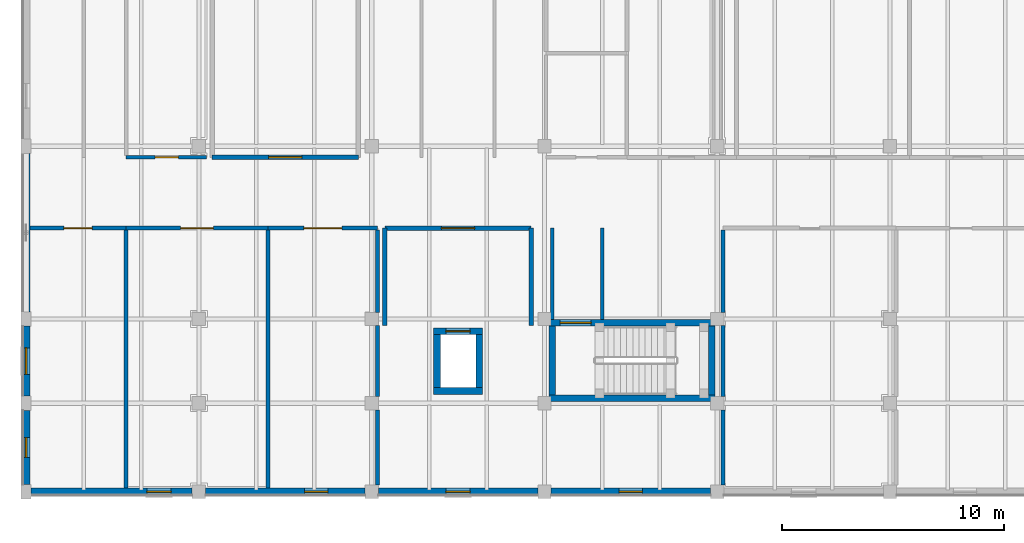
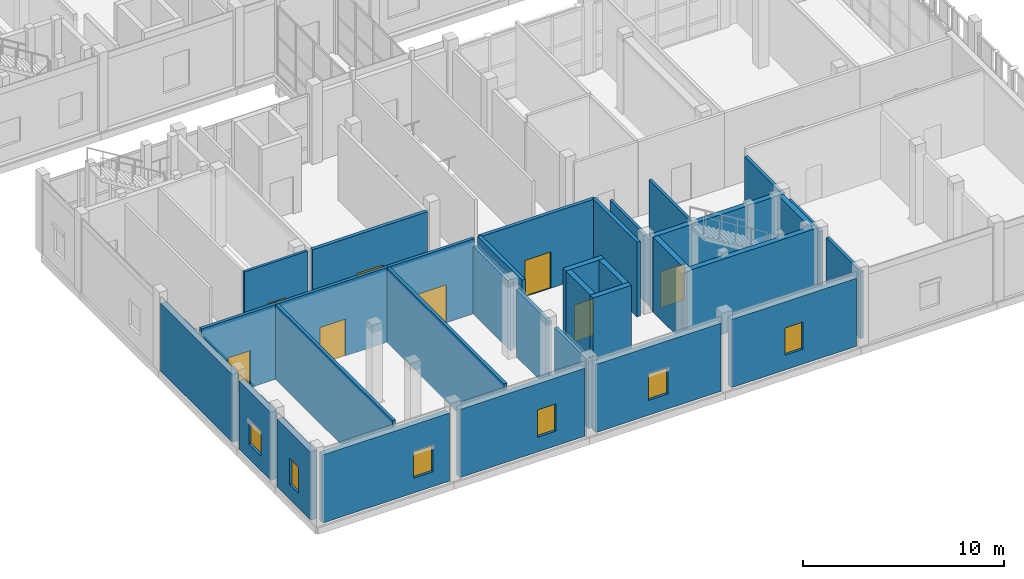
# One storey, part 100 of 138: 33 walls, 8 doors, 6 windows, 14 openings.
"""IFC4 building model written with IfcOpenShell, lengths in metres."""

from ifc_helpers import new_model, si_unit, direction, frame, frame_2d, origin, place, context, subcontext, project, spatial, rectangle, extrude, material, layer, layer_set, type_object, element, fill, save


model = new_model("IFC4")

# Units and contexts
model_context = context("Model", 3, precision=1e-05, world=origin(), true_north=direction((0.0, 1.0)))
body_context = subcontext(model_context, "Body", "Model", "MODEL_VIEW")
ifc_project = project(units=[si_unit("LENGTHUNIT", "METRE"), si_unit("AREAUNIT", "SQUARE_METRE"), si_unit("VOLUMEUNIT", "CUBIC_METRE"), si_unit("PLANEANGLEUNIT", "RADIAN"), si_unit("MASSUNIT", "GRAM", prefix="KILO")], contexts=[model_context])

# Site, building, storey
site_placement = place(None, origin())
site = spatial("IfcSite", under=ifc_project, at=site_placement, CompositionType="ELEMENT")
building_placement = place(site_placement, origin())
building = spatial("IfcBuilding", under=site, at=building_placement, Name="Celorna Specialist Clinic", CompositionType="ELEMENT")
storey_placement = place(building_placement, frame((0.0, 0.0, 4.800048828125)))
storey = spatial("IfcBuildingStorey", under=building, at=storey_placement, Name="L01", CompositionType="ELEMENT", Elevation=4.800048828125)

# Wall, opening, window
ifc_material_1 = material(Name="Pero Pinheiro Lioz limestone insulated masonry", Category="masonry")
ifc_layer_1 = layer(ifc_material_1, 0.340087890625, Name="Pero Pinheiro Lioz limestone insulated masonry")
ifc_layer_set_1 = layer_set([ifc_layer_1], Name="Pero Pinheiro Lioz limestone insulated masonry")
wall_type_1 = type_object("IfcWallType", Name="WT-07", PredefinedType="STANDARD", material=ifc_layer_set_1)
wall_1_placement = place(storey_placement, frame((7.5, 0.0, 0.0), z_axis=(0.0, 0.0, 1.0), x_axis=(-1.0, 0.0, 0.0)))
wall_1 = element("IfcWall", 1, at=wall_1_placement, inside=storey, type_object=wall_type_1, Name="External facade wall WT-07 #320", PredefinedType="STANDARD", context=body_context, shape_type="SweptSolid", body=[
    extrude(rectangle(XDim=7.27490234375, YDim=0.340087890625, at=frame_2d((3.637451171875, 0.0))), origin(), (0.0, 0.0, 1.0), 4.139892578125),
])
opening_1_placement = place(wall_1_placement, frame((0.949951171875, 0.0, 0.89990234375)))
opening_1 = element("IfcOpeningElement", 2, at=opening_1_placement, cuts=wall_1, Name="Opening WN-03", PredefinedType="OPENING", context=body_context, shape_type="SweptSolid", body=[
    extrude(rectangle(XDim=1.10009765625, YDim=1.60009765625, at=frame_2d((0.550048828125, 0.800048828125))), frame((0.0, 0.179931640625, 0.0), z_axis=(0.0, -1.0, 0.0), x_axis=(1.0, 0.0, 0.0)), (0.0, 0.0, 1.0), 0.360107421875),
])
ifc_material_2 = material(Name="Thermally broken aluminium triple-glazed window", Category="aluminium")
window_type_1 = type_object("IfcWindowType", Name="WN-03", PartitioningType="SINGLE_PANEL", PredefinedType="WINDOW", material=ifc_material_2)
window_1_placement = place(opening_1_placement, origin())
window_1 = element("IfcWindow", 3, at=window_1_placement, inside=storey, type_object=window_type_1, Name="Facade window WN-03 #192", OverallHeight=1.60009765625, OverallWidth=1.10009765625, PartitioningType="SINGLE_PANEL", PredefinedType="WINDOW", context=body_context, shape_type="SweptSolid", body=[
    extrude(rectangle(XDim=1.10009765625, YDim=1.60009765625, at=frame_2d((0.550048828125, 0.800048828125))), frame((0.0, 0.030029296875, 0.0), z_axis=(0.0, -1.0, 0.0), x_axis=(1.0, 0.0, 0.0)), (0.0, 0.0, 1.0), 0.06005859375),
])
fill(opening_1, window_1)

wall_2_placement = place(storey_placement, frame((15.300048828125, 0.0, 0.0), z_axis=(0.0, 0.0, 1.0), x_axis=(-1.0, 0.0, 0.0)))
wall_2 = element("IfcWall", 4, at=wall_2_placement, inside=storey, type_object=wall_type_1, Name="External facade wall WT-07 #321", PredefinedType="STANDARD", context=body_context, shape_type="SweptSolid", body=[
    extrude(rectangle(XDim=7.199951171875, YDim=0.340087890625, at=frame_2d((3.60009765625, 0.0))), origin(), (0.0, 0.0, 1.0), 4.139892578125),
])
opening_2_placement = place(wall_2_placement, frame((1.675048828125, 0.0, 0.89990234375)))
opening_2 = element("IfcOpeningElement", 5, at=opening_2_placement, cuts=wall_2, Name="Opening WN-21", PredefinedType="OPENING", context=body_context, shape_type="SweptSolid", body=[
    extrude(rectangle(XDim=1.050048828125, YDim=1.64990234375, at=frame_2d((0.52490234375, 0.824951171875))), frame((0.0, 0.179931640625, 0.0), z_axis=(0.0, -1.0, 0.0), x_axis=(1.0, 0.0, 0.0)), (0.0, 0.0, 1.0), 0.360107421875),
])
window_type_2 = type_object("IfcWindowType", Name="WN-21", PartitioningType="SINGLE_PANEL", PredefinedType="WINDOW", material=ifc_material_2)
window_2_placement = place(opening_2_placement, origin())
window_2 = element("IfcWindow", 6, at=window_2_placement, inside=storey, type_object=window_type_2, Name="Facade window WN-21 #193", OverallHeight=1.64990234375, OverallWidth=1.050048828125, PartitioningType="SINGLE_PANEL", PredefinedType="WINDOW", context=body_context, shape_type="SweptSolid", body=[
    extrude(rectangle(XDim=1.050048828125, YDim=1.64990234375, at=frame_2d((0.52490234375, 0.824951171875))), frame((0.0, 0.030029296875, 0.0), z_axis=(0.0, -1.0, 0.0), x_axis=(1.0, 0.0, 0.0)), (0.0, 0.0, 1.0), 0.06005859375),
])
fill(opening_2, window_2)

wall_3_placement = place(storey_placement, frame((23.10009765625, 0.0, 0.0), z_axis=(0.0, 0.0, 1.0), x_axis=(-1.0, 0.0, 0.0)))
wall_3 = element("IfcWall", 7, at=wall_3_placement, inside=storey, type_object=wall_type_1, Name="External facade wall WT-07 #322", PredefinedType="STANDARD", context=body_context, shape_type="SweptSolid", body=[
    extrude(rectangle(XDim=7.2001953125, YDim=0.340087890625, at=frame_2d((3.60009765625, 0.0))), origin(), (0.0, 0.0, 1.0), 4.139892578125),
])
opening_3_placement = place(wall_3_placement, frame((3.050048828125, 0.0, 0.89990234375)))
opening_3 = element("IfcOpeningElement", 8, at=opening_3_placement, cuts=wall_3, Name="Opening WN-03", PredefinedType="OPENING", context=body_context, shape_type="SweptSolid", body=[
    extrude(rectangle(XDim=1.10009765625, YDim=1.60009765625, at=frame_2d((0.550048828125, 0.800048828125))), frame((0.0, 0.179931640625, 0.0), z_axis=(0.0, -1.0, 0.0), x_axis=(1.0, 0.0, 0.0)), (0.0, 0.0, 1.0), 0.360107421875),
])
window_3_placement = place(opening_3_placement, origin())
window_3 = element("IfcWindow", 9, at=window_3_placement, inside=storey, type_object=window_type_1, Name="Facade window WN-03 #194", OverallHeight=1.60009765625, OverallWidth=1.10009765625, PartitioningType="SINGLE_PANEL", PredefinedType="WINDOW", context=body_context, shape_type="SweptSolid", body=[
    extrude(rectangle(XDim=1.10009765625, YDim=1.60009765625, at=frame_2d((0.550048828125, 0.800048828125))), frame((0.0, 0.030029296875, 0.0), z_axis=(0.0, -1.0, 0.0), x_axis=(1.0, 0.0, 0.0)), (0.0, 0.0, 1.0), 0.06005859375),
])
fill(opening_3, window_3)

wall_4_placement = place(storey_placement, frame((30.89990234375, 0.0, 0.0), z_axis=(0.0, 0.0, 1.0), x_axis=(-1.0, 0.0, 0.0)))
wall_4 = element("IfcWall", 10, at=wall_4_placement, inside=storey, type_object=wall_type_1, Name="External facade wall WT-07 #323", PredefinedType="STANDARD", context=body_context, shape_type="SweptSolid", body=[
    extrude(rectangle(XDim=7.199951171875, YDim=0.340087890625, at=frame_2d((3.60009765625, 0.0))), origin(), (0.0, 0.0, 1.0), 4.139892578125),
])
opening_4_placement = place(wall_4_placement, frame((3.074951171875, 0.0, 0.89990234375)))
opening_4 = element("IfcOpeningElement", 11, at=opening_4_placement, cuts=wall_4, Name="Opening WN-21", PredefinedType="OPENING", context=body_context, shape_type="SweptSolid", body=[
    extrude(rectangle(XDim=1.050048828125, YDim=1.64990234375, at=frame_2d((0.52490234375, 0.824951171875))), frame((0.0, 0.179931640625, 0.0), z_axis=(0.0, -1.0, 0.0), x_axis=(1.0, 0.0, 0.0)), (0.0, 0.0, 1.0), 0.360107421875),
])
window_4_placement = place(opening_4_placement, origin())
window_4 = element("IfcWindow", 12, at=window_4_placement, inside=storey, type_object=window_type_2, Name="Facade window WN-21 #195", OverallHeight=1.64990234375, OverallWidth=1.050048828125, PartitioningType="SINGLE_PANEL", PredefinedType="WINDOW", context=body_context, shape_type="SweptSolid", body=[
    extrude(rectangle(XDim=1.050048828125, YDim=1.64990234375, at=frame_2d((0.52490234375, 0.824951171875))), frame((0.0, 0.030029296875, 0.0), z_axis=(0.0, -1.0, 0.0), x_axis=(1.0, 0.0, 0.0)), (0.0, 0.0, 1.0), 0.06005859375),
])
fill(opening_4, window_4)

wall_5_placement = place(storey_placement, frame((0.0, 0.324951171875, 0.0), z_axis=(0.0, 0.0, 1.0), x_axis=(0.0, 1.0, 0.0)))
wall_5 = element("IfcWall", 13, at=wall_5_placement, inside=storey, type_object=wall_type_1, Name="External facade wall WT-07 #330", PredefinedType="STANDARD", context=body_context, shape_type="SweptSolid", body=[
    extrude(rectangle(XDim=3.35009765625, YDim=0.340087890625, at=frame_2d((1.675048828125, 0.0))), origin(), (0.0, 0.0, 1.0), 4.139892578125),
])
opening_5_placement = place(wall_5_placement, frame((1.22509765625, 0.0, 0.89990234375)))
opening_5 = element("IfcOpeningElement", 14, at=opening_5_placement, cuts=wall_5, Name="Opening WN-01", PredefinedType="OPENING", context=body_context, shape_type="SweptSolid", body=[
    extrude(rectangle(XDim=0.89990234375, YDim=1.60009765625, at=frame_2d((0.449951171875, 0.800048828125))), frame((0.0, 0.179931640625, 0.0), z_axis=(0.0, -1.0, 0.0), x_axis=(1.0, 0.0, 0.0)), (0.0, 0.0, 1.0), 0.360107421875),
])
window_type_3 = type_object("IfcWindowType", Name="WN-01", PartitioningType="SINGLE_PANEL", PredefinedType="WINDOW", material=ifc_material_2)
window_5_placement = place(opening_5_placement, origin())
window_5 = element("IfcWindow", 15, at=window_5_placement, inside=storey, type_object=window_type_3, Name="Facade window WN-01 #199", OverallHeight=1.60009765625, OverallWidth=0.89990234375, PartitioningType="SINGLE_PANEL", PredefinedType="WINDOW", context=body_context, shape_type="SweptSolid", body=[
    extrude(rectangle(XDim=0.89990234375, YDim=1.60009765625, at=frame_2d((0.449951171875, 0.800048828125))), frame((0.0, 0.030029296875, 0.0), z_axis=(0.0, -1.0, 0.0), x_axis=(1.0, 0.0, 0.0)), (0.0, 0.0, 1.0), 0.06005859375),
])
fill(opening_5, window_5)

wall_6_placement = place(storey_placement, frame((0.0, 4.324951171875, 0.0), z_axis=(0.0, 0.0, 1.0), x_axis=(0.0, 1.0, 0.0)))
wall_6 = element("IfcWall", 16, at=wall_6_placement, inside=storey, type_object=wall_type_1, Name="External facade wall WT-07 #331", PredefinedType="STANDARD", context=body_context, shape_type="SweptSolid", body=[
    extrude(rectangle(XDim=3.150146484375, YDim=0.340087890625, at=frame_2d((1.5751953125, 0.0))), origin(), (0.0, 0.0, 1.0), 4.139892578125),
])
opening_6_placement = place(wall_6_placement, frame((0.97509765625, 0.0, 0.89990234375)))
opening_6 = element("IfcOpeningElement", 17, at=opening_6_placement, cuts=wall_6, Name="Opening WN-04", PredefinedType="OPENING", context=body_context, shape_type="SweptSolid", body=[
    extrude(rectangle(XDim=1.199951171875, YDim=1.5, at=frame_2d((0.60009765625, 0.75))), frame((0.0, 0.179931640625, 0.0), z_axis=(0.0, -1.0, 0.0), x_axis=(1.0, 0.0, 0.0)), (0.0, 0.0, 1.0), 0.360107421875),
])
window_type_4 = type_object("IfcWindowType", Name="WN-04", PartitioningType="SINGLE_PANEL", PredefinedType="WINDOW", material=ifc_material_2)
window_6_placement = place(opening_6_placement, origin())
window_6 = element("IfcWindow", 18, at=window_6_placement, inside=storey, type_object=window_type_4, Name="Facade window WN-04 #200", OverallHeight=1.5, OverallWidth=1.199951171875, PartitioningType="SINGLE_PANEL", PredefinedType="WINDOW", context=body_context, shape_type="SweptSolid", body=[
    extrude(rectangle(XDim=1.199951171875, YDim=1.5, at=frame_2d((0.60009765625, 0.75))), frame((0.0, 0.030029296875, 0.0), z_axis=(0.0, -1.0, 0.0), x_axis=(1.0, 0.0, 0.0)), (0.0, 0.0, 1.0), 0.06005859375),
])
fill(opening_6, window_6)

# Walls
wall_7_placement = place(storey_placement, frame((0.0, 8.125, 0.0), z_axis=(0.0, 0.0, 1.0), x_axis=(0.0, 1.0, 0.0)))
element("IfcWall", 19, at=wall_7_placement, inside=storey, type_object=wall_type_1, Name="External facade wall WT-07 #332", PredefinedType="STANDARD", context=body_context, shape_type="SweptSolid", body=[
    extrude(rectangle(XDim=7.14990234375, YDim=0.340087890625, at=frame_2d((3.574951171875, 0.0))), origin(), (0.0, 0.0, 1.0), 4.139892578125),
])
ifc_material_3 = material(Name="Concrete C35/45", Category="concrete")
ifc_layer_2 = layer(ifc_material_3, 0.300048828125, Name="Concrete C35/45")
ifc_layer_set_2 = layer_set([ifc_layer_2], Name="Concrete C35/45")
wall_type_2 = type_object("IfcWallType", Name="WT-08", PredefinedType="SHEAR", material=ifc_layer_set_2)
wall_8_placement = place(storey_placement, frame((23.610107421875, 4.22998046875, 0.0), z_axis=(0.0, 0.0, 1.0), x_axis=(1.0, 0.0, 0.0)))
element("IfcWall", 20, at=wall_8_placement, inside=storey, type_object=wall_type_2, Name="Stair ST-05 RC core wall L01 south", PredefinedType="SHEAR", context=body_context, shape_type="SweptSolid", body=[
    extrude(rectangle(XDim=7.5, YDim=0.300048828125, at=frame_2d((3.75, 0.0))), origin(), (0.0, 0.0, 1.0), 4.5400390625),
])

# Wall, opening, door
wall_9_placement = place(storey_placement, frame((31.110107421875, 7.6298828125, 0.0), z_axis=(0.0, 0.0, 1.0), x_axis=(-1.0, 0.0, 0.0)))
wall_9 = element("IfcWall", 21, at=wall_9_placement, inside=storey, type_object=wall_type_2, Name="Stair ST-05 RC core wall L01 north", PredefinedType="SHEAR", context=body_context, shape_type="SweptSolid", body=[
    extrude(rectangle(XDim=7.5, YDim=0.300048828125, at=frame_2d((3.75, 0.0))), origin(), (0.0, 0.0, 1.0), 4.5400390625),
])
opening_7_placement = place(wall_9_placement, frame((5.60009765625, 0.0, 0.0)))
opening_7 = element("IfcOpeningElement", 22, at=opening_7_placement, cuts=wall_9, Name="Opening DR-10", PredefinedType="OPENING", context=body_context, shape_type="SweptSolid", body=[
    extrude(rectangle(XDim=1.39990234375, YDim=2.199951171875, at=frame_2d((0.699951171875, 1.10009765625))), frame((0.0, 0.159912109375, 0.0), z_axis=(0.0, -1.0, 0.0), x_axis=(1.0, 0.0, 0.0)), (0.0, 0.0, 1.0), 0.320068359375),
])
ifc_material_4 = material(Name="Protected exit stair fire door")
door_type_1 = type_object("IfcDoorType", Name="DR-10", OperationType="NOTDEFINED", PredefinedType="DOOR", material=ifc_material_4)
door_1_placement = place(opening_7_placement, origin())
door_1 = element("IfcDoor", 23, at=door_1_placement, inside=storey, type_object=door_type_1, Name="Protected exit stair door ST-05 L01", OperationType="SINGLE_SWING_RIGHT", OverallHeight=2.199951171875, OverallWidth=1.39990234375, PredefinedType="DOOR", context=body_context, shape_type="SweptSolid", body=[
    extrude(rectangle(XDim=1.39990234375, YDim=2.199951171875, at=frame_2d((0.699951171875, 1.10009765625))), frame((0.0, 0.02490234375, 0.0), z_axis=(0.0, -1.0, 0.0), x_axis=(1.0, 0.0, 0.0)), (0.0, 0.0, 1.0), 0.050048828125),
])
fill(opening_7, door_1)

# Walls
for number, where, z_axis, x_axis, name in (
    (24, (23.760009765625, 7.47998046875, 0.0), (0.0, 0.0, 1.0), (0.0, -1.0, 0.0), "Stair ST-05 RC core wall L01 west"),
    (25, (30.9599609375, 4.3798828125, 0.0), (0.0, 0.0, 1.0), (0.0, 1.0, 0.0), "Stair ST-05 RC core wall L01 east"),
):
    element("IfcWall", number, at=place(storey_placement, frame(where, z_axis=z_axis, x_axis=x_axis)), inside=storey, type_object=wall_type_2, Name=name, PredefinedType="SHEAR", context=body_context, shape_type="SweptSolid", body=[
        extrude(rectangle(XDim=3.10009765625, YDim=0.300048828125, at=frame_2d((1.550048828125, 0.0))), origin(), (0.0, 0.0, 1.0), 4.5400390625),
    ])
wall_10_placement = place(storey_placement, frame((18.39990234375, 4.550048828125, 0.0), z_axis=(0.0, 0.0, 1.0), x_axis=(1.0, 0.0, 0.0)))
element("IfcWall", 26, at=wall_10_placement, inside=storey, type_object=wall_type_2, Name="Lift LF-05 RC shaft wall L01", PredefinedType="SHEAR", context=body_context, shape_type="SweptSolid", body=[
    extrude(rectangle(XDim=2.2001953125, YDim=0.300048828125, at=frame_2d((1.10009765625, 0.0))), origin(), (0.0, 0.0, 1.0), 4.5400390625),
])

# Wall, opening, door
wall_11_placement = place(storey_placement, frame((20.60009765625, 7.25, 0.0), z_axis=(0.0, 0.0, 1.0), x_axis=(-1.0, 0.0, 0.0)))
wall_11 = element("IfcWall", 27, at=wall_11_placement, inside=storey, type_object=wall_type_2, Name="Lift LF-05 RC shaft wall L01", PredefinedType="SHEAR", context=body_context, shape_type="SweptSolid", body=[
    extrude(rectangle(XDim=2.2001953125, YDim=0.300048828125, at=frame_2d((1.10009765625, 0.0))), origin(), (0.0, 0.0, 1.0), 4.5400390625),
])
opening_8_placement = place(wall_11_placement, frame((0.550048828125, 0.0, 0.0)))
opening_8 = element("IfcOpeningElement", 28, at=opening_8_placement, cuts=wall_11, Name="Opening LD-01", PredefinedType="OPENING", context=body_context, shape_type="SweptSolid", body=[
    extrude(rectangle(XDim=1.10009765625, YDim=2.199951171875, at=frame_2d((0.550048828125, 1.10009765625))), frame((0.0, 0.159912109375, 0.0), z_axis=(0.0, -1.0, 0.0), x_axis=(1.0, 0.0, 0.0)), (0.0, 0.0, 1.0), 0.320068359375),
])
ifc_material_5 = material(Name="Stainless steel lift landing sliding door", Category="steel")
door_type_2 = type_object("IfcDoorType", Name="LD-01", OperationType="DOUBLE_DOOR_SLIDING", PredefinedType="DOOR", material=ifc_material_5)
door_2_placement = place(opening_8_placement, origin())
door_2 = element("IfcDoor", 29, at=door_2_placement, inside=storey, type_object=door_type_2, Name="Lift LF-05 sliding landing door L01", OperationType="DOUBLE_DOOR_SLIDING", OverallHeight=2.199951171875, OverallWidth=1.10009765625, PredefinedType="DOOR", context=body_context, shape_type="SweptSolid", body=[
    extrude(rectangle(XDim=1.10009765625, YDim=2.199951171875, at=frame_2d((0.550048828125, 1.10009765625))), frame((0.0, 0.02490234375, 0.0), z_axis=(0.0, -1.0, 0.0), x_axis=(1.0, 0.0, 0.0)), (0.0, 0.0, 1.0), 0.050048828125),
])
fill(opening_8, door_2)

# Walls
for number, where, z_axis, x_axis, name in (
    (30, (18.550048828125, 7.10009765625, 0.0), (0.0, 0.0, 1.0), (0.0, -1.0, 0.0), "Lift LF-05 RC shaft wall L01"),
    (31, (20.449951171875, 4.699951171875, 0.0), (0.0, 0.0, 1.0), (0.0, 1.0, 0.0), "Lift LF-05 RC shaft wall L01"),
):
    element("IfcWall", number, at=place(storey_placement, frame(where, z_axis=z_axis, x_axis=x_axis)), inside=storey, type_object=wall_type_2, Name=name, PredefinedType="SHEAR", context=body_context, shape_type="SweptSolid", body=[
        extrude(rectangle(XDim=2.400146484375, YDim=0.300048828125, at=frame_2d((1.2001953125, 0.0))), origin(), (0.0, 0.0, 1.0), 4.5400390625),
    ])

# Wall, opening, door
ifc_layer_3 = layer(ifc_material_3, 0.199951171875, Name="Concrete C35/45")
ifc_layer_set_3 = layer_set([ifc_layer_3], Name="Concrete C35/45")
wall_type_3 = type_object("IfcWallType", Name="WT-12", PredefinedType="SOLIDWALL", material=ifc_layer_set_3)
wall_12_placement = place(storey_placement, frame((8.39990234375, 15.10009765625, 0.0), z_axis=(0.0, 0.0, 1.0), x_axis=(1.0, 0.0, 0.0)))
wall_12 = element("IfcWall", 32, at=wall_12_placement, inside=storey, type_object=wall_type_3, Name="Firefighting lobby wall LF-04 L01", PredefinedType="SOLIDWALL", context=body_context, shape_type="SweptSolid", body=[
    extrude(rectangle(XDim=6.60009765625, YDim=0.199951171875, at=frame_2d((3.300048828125, 0.0))), origin(), (0.0, 0.0, 1.0), 4.5400390625),
])
opening_9_placement = place(wall_12_placement, frame((2.550048828125, 0.0, 0.0)))
opening_9 = element("IfcOpeningElement", 33, at=opening_9_placement, cuts=wall_12, Name="Opening DR-11", PredefinedType="OPENING", context=body_context, shape_type="SweptSolid", body=[
    extrude(rectangle(XDim=1.5, YDim=2.199951171875, at=frame_2d((0.75, 1.10009765625))), frame((0.0, 0.10986328125, 0.0), z_axis=(0.0, -1.0, 0.0), x_axis=(1.0, 0.0, 0.0)), (0.0, 0.0, 1.0), 0.219970703125),
])
ifc_material_6 = material(Name="Firefighting lobby double fire door")
door_type_3 = type_object("IfcDoorType", Name="DR-11", OperationType="DOUBLE_DOOR_SINGLE_SWING", PredefinedType="DOOR", material=ifc_material_6)
door_3_placement = place(opening_9_placement, origin())
door_3 = element("IfcDoor", 34, at=door_3_placement, inside=storey, type_object=door_type_3, Name="Firefighting lobby fire door LF-04 L01", OperationType="DOUBLE_DOOR_SINGLE_SWING", OverallHeight=2.199951171875, OverallWidth=1.5, PredefinedType="DOOR", context=body_context, shape_type="SweptSolid", body=[
    extrude(rectangle(XDim=1.5, YDim=2.199951171875, at=frame_2d((0.75, 1.10009765625))), frame((0.0, 0.02490234375, 0.0), z_axis=(0.0, -1.0, 0.0), x_axis=(1.0, 0.0, 0.0)), (0.0, 0.0, 1.0), 0.050048828125),
])
fill(opening_9, door_3)

wall_13_placement = place(storey_placement, frame((22.800048828125, 11.89990234375, 0.0), z_axis=(0.0, 0.0, 1.0), x_axis=(-1.0, 0.0, 0.0)))
wall_13 = element("IfcWall", 35, at=wall_13_placement, inside=storey, type_object=wall_type_3, Name="Lift lobby wall LF-05 L01", PredefinedType="SOLIDWALL", context=body_context, shape_type="SweptSolid", body=[
    extrude(rectangle(XDim=6.60009765625, YDim=0.199951171875, at=frame_2d((3.300048828125, 0.0))), origin(), (0.0, 0.0, 1.0), 4.5400390625),
])
opening_10_placement = place(wall_13_placement, frame((2.550048828125, 0.0, 0.0)))
opening_10 = element("IfcOpeningElement", 36, at=opening_10_placement, cuts=wall_13, Name="Opening DR-11", PredefinedType="OPENING", context=body_context, shape_type="SweptSolid", body=[
    extrude(rectangle(XDim=1.5, YDim=2.199951171875, at=frame_2d((0.75, 1.10009765625))), frame((0.0, 0.10986328125, 0.0), z_axis=(0.0, -1.0, 0.0), x_axis=(1.0, 0.0, 0.0)), (0.0, 0.0, 1.0), 0.219970703125),
])
door_4_placement = place(opening_10_placement, origin())
door_4 = element("IfcDoor", 37, at=door_4_placement, inside=storey, type_object=door_type_3, Name="Lift lobby fire door LF-05 L01", OperationType="DOUBLE_DOOR_SINGLE_SWING", OverallHeight=2.199951171875, OverallWidth=1.5, PredefinedType="DOOR", context=body_context, shape_type="SweptSolid", body=[
    extrude(rectangle(XDim=1.5, YDim=2.199951171875, at=frame_2d((0.75, 1.10009765625))), frame((0.0, 0.02490234375, 0.0), z_axis=(0.0, -1.0, 0.0), x_axis=(1.0, 0.0, 0.0)), (0.0, 0.0, 1.0), 0.050048828125),
])
fill(opening_10, door_4)

# Walls
for number, where, z_axis, x_axis, name in (
    (38, (16.199951171875, 11.89990234375, 0.0), (0.0, 0.0, 1.0), (0.0, -1.0, 0.0), "Lift lobby wall LF-05 L01"),
    (39, (22.800048828125, 7.5, 0.0), (0.0, 0.0, 1.0), (0.0, 1.0, 0.0), "Lift lobby wall LF-05 L01"),
):
    element("IfcWall", number, at=place(storey_placement, frame(where, z_axis=z_axis, x_axis=x_axis)), inside=storey, type_object=wall_type_3, Name=name, PredefinedType="SOLIDWALL", context=body_context, shape_type="SweptSolid", body=[
        extrude(rectangle(XDim=4.39990234375, YDim=0.199951171875, at=frame_2d((2.199951171875, 0.0))), origin(), (0.0, 0.0, 1.0), 4.5400390625),
    ])

# Wall, opening, door
ifc_material_7 = material(Name="Acoustic masonry clinical partition", Category="masonry")
ifc_layer_4 = layer(ifc_material_7, 0.179931640625, Name="Acoustic masonry clinical partition")
ifc_layer_set_4 = layer_set([ifc_layer_4], Name="Acoustic masonry clinical partition")
wall_type_4 = type_object("IfcWallType", Name="WT-13", PredefinedType="PARTITIONING", material=ifc_layer_set_4)
wall_14_placement = place(storey_placement, frame((4.52001953125, 11.89990234375, 0.0), z_axis=(0.0, 0.0, 1.0), x_axis=(-1.0, 0.0, 0.0)))
wall_14 = element("IfcWall", 40, at=wall_14_placement, inside=storey, type_object=wall_type_4, Name="Interior partition WT-13 L01-094", PredefinedType="PARTITIONING", context=body_context, shape_type="SweptSolid", body=[
    extrude(rectangle(XDim=4.35009765625, YDim=0.179931640625, at=frame_2d((2.175048828125, 0.0))), origin(), (0.0, 0.0, 1.0), 4.5400390625),
])
opening_11_placement = place(wall_14_placement, frame((1.534912109375, 0.0, 0.0)))
opening_11 = element("IfcOpeningElement", 41, at=opening_11_placement, cuts=wall_14, Name="Opening DR-22", PredefinedType="OPENING", context=body_context, shape_type="SweptSolid", body=[
    extrude(rectangle(XDim=1.280029296875, YDim=2.25, at=frame_2d((0.64013671875, 1.125))), frame((0.0, 0.099853515625, 0.0), z_axis=(0.0, -1.0, 0.0), x_axis=(1.0, 0.0, 0.0)), (0.0, 0.0, 1.0), 0.199951171875),
])
ifc_material_8 = material(Name="Diagnostic procedure room door")
door_type_4 = type_object("IfcDoorType", Name="DR-22", OperationType="NOTDEFINED", PredefinedType="DOOR", material=ifc_material_8)
door_5_placement = place(opening_11_placement, origin())
door_5 = element("IfcDoor", 42, at=door_5_placement, inside=storey, type_object=door_type_4, Name="Cytotoxic Cleanroom Pharmacy door L01-094", OperationType="SINGLE_SWING_LEFT", OverallHeight=2.25, OverallWidth=1.280029296875, PredefinedType="DOOR", context=body_context, shape_type="SweptSolid", body=[
    extrude(rectangle(XDim=1.280029296875, YDim=2.25, at=frame_2d((0.64013671875, 1.125))), frame((0.0, 0.02490234375, 0.0), z_axis=(0.0, -1.0, 0.0), x_axis=(1.0, 0.0, 0.0)), (0.0, 0.0, 1.0), 0.050048828125),
])
fill(opening_11, door_5)

wall_15_placement = place(storey_placement, frame((10.919921875, 11.89990234375, 0.0), z_axis=(0.0, 0.0, 1.0), x_axis=(-1.0, 0.0, 0.0)))
wall_15 = element("IfcWall", 43, at=wall_15_placement, inside=storey, type_object=wall_type_4, Name="Interior partition WT-13 L01-095", PredefinedType="PARTITIONING", context=body_context, shape_type="SweptSolid", body=[
    extrude(rectangle(XDim=6.39990234375, YDim=0.179931640625, at=frame_2d((3.199951171875, 0.0))), origin(), (0.0, 0.0, 1.0), 4.5400390625),
])
opening_12_placement = place(wall_15_placement, frame((2.4599609375, 0.0, 0.0)))
opening_12 = element("IfcOpeningElement", 44, at=opening_12_placement, cuts=wall_15, Name="Opening DR-23", PredefinedType="OPENING", context=body_context, shape_type="SweptSolid", body=[
    extrude(rectangle(XDim=1.47998046875, YDim=2.25, at=frame_2d((0.739990234375, 1.125))), frame((0.0, 0.099853515625, 0.0), z_axis=(0.0, -1.0, 0.0), x_axis=(1.0, 0.0, 0.0)), (0.0, 0.0, 1.0), 0.199951171875),
])
ifc_material_9 = material(Name="Double leaf treatment room door")
door_type_5 = type_object("IfcDoorType", Name="DR-23", OperationType="DOUBLE_DOOR_SINGLE_SWING", PredefinedType="DOOR", material=ifc_material_9)
door_6_placement = place(opening_12_placement, origin())
door_6 = element("IfcDoor", 45, at=door_6_placement, inside=storey, type_object=door_type_5, Name="Cleanroom Gowning Airlock door L01-095", OperationType="DOUBLE_DOOR_SINGLE_SWING", OverallHeight=2.25, OverallWidth=1.47998046875, PredefinedType="DOOR", context=body_context, shape_type="SweptSolid", body=[
    extrude(rectangle(XDim=1.47998046875, YDim=2.25, at=frame_2d((0.739990234375, 1.125))), frame((0.0, 0.02490234375, 0.0), z_axis=(0.0, -1.0, 0.0), x_axis=(1.0, 0.0, 0.0)), (0.0, 0.0, 1.0), 0.050048828125),
])
fill(opening_12, door_6)

wall_16_placement = place(storey_placement, frame((15.8701171875, 11.89990234375, 0.0), z_axis=(0.0, 0.0, 1.0), x_axis=(-1.0, 0.0, 0.0)))
wall_16 = element("IfcWall", 46, at=wall_16_placement, inside=storey, type_object=wall_type_4, Name="Interior partition WT-13 L01-096", PredefinedType="PARTITIONING", context=body_context, shape_type="SweptSolid", body=[
    extrude(rectangle(XDim=4.9501953125, YDim=0.179931640625, at=frame_2d((2.47509765625, 0.0))), origin(), (0.0, 0.0, 1.0), 4.5400390625),
])
opening_13_placement = place(wall_16_placement, frame((1.614990234375, 0.0, 0.0)))
opening_13 = element("IfcOpeningElement", 47, at=opening_13_placement, cuts=wall_16, Name="Opening DR-24", PredefinedType="OPENING", context=body_context, shape_type="SweptSolid", body=[
    extrude(rectangle(XDim=1.719970703125, YDim=2.300048828125, at=frame_2d((0.85986328125, 1.14990234375))), frame((0.0, 0.099853515625, 0.0), z_axis=(0.0, -1.0, 0.0), x_axis=(1.0, 0.0, 0.0)), (0.0, 0.0, 1.0), 0.199951171875),
])
ifc_material_10 = material(Name="Double leaf clinical waiting door")
door_type_6 = type_object("IfcDoorType", Name="DR-24", OperationType="DOUBLE_DOOR_SINGLE_SWING", PredefinedType="DOOR", material=ifc_material_10)
door_7_placement = place(opening_13_placement, origin())
door_7 = element("IfcDoor", 48, at=door_7_placement, inside=storey, type_object=door_type_6, Name="Pathology Laboratory door L01-096", OperationType="DOUBLE_DOOR_SINGLE_SWING", OverallHeight=2.300048828125, OverallWidth=1.719970703125, PredefinedType="DOOR", context=body_context, shape_type="SweptSolid", body=[
    extrude(rectangle(XDim=1.719970703125, YDim=2.300048828125, at=frame_2d((0.85986328125, 1.14990234375))), frame((0.0, 0.02490234375, 0.0), z_axis=(0.0, -1.0, 0.0), x_axis=(1.0, 0.0, 0.0)), (0.0, 0.0, 1.0), 0.050048828125),
])
fill(opening_13, door_7)

# Walls
for number, where, z_axis, x_axis, name in (
    (49, (4.52001953125, 0.169921875, 0.0), (0.0, 0.0, 1.0), (0.0, 1.0, 0.0), "Room dividing partition WT-13 L01-094"),
    (50, (10.919921875, 0.169921875, 0.0), (0.0, 0.0, 1.0), (0.0, 1.0, 0.0), "Room dividing partition WT-13 L01-095"),
):
    element("IfcWall", number, at=place(storey_placement, frame(where, z_axis=z_axis, x_axis=x_axis)), inside=storey, type_object=wall_type_4, Name=name, PredefinedType="PARTITIONING", context=body_context, shape_type="SweptSolid", body=[
        extrude(rectangle(XDim=11.64013671875, YDim=0.179931640625, at=frame_2d((5.820068359375, 0.0))), origin(), (0.0, 0.0, 1.0), 4.5400390625),
    ])
wall_17_placement = place(storey_placement, frame((15.8701171875, 0.300048828125, 0.0), z_axis=(0.0, 0.0, 1.0), x_axis=(0.0, 1.0, 0.0)))
element("IfcWall", 51, at=wall_17_placement, inside=storey, type_object=wall_type_4, Name="Room dividing partition WT-13 L01-096", PredefinedType="PARTITIONING", context=body_context, shape_type="SweptSolid", body=[
    extrude(rectangle(XDim=3.39990234375, YDim=0.179931640625, at=frame_2d((1.699951171875, 0.0))), origin(), (0.0, 0.0, 1.0), 4.08984375),
])
wall_18_placement = place(storey_placement, frame((15.8701171875, 4.300048828125, 0.0), z_axis=(0.0, 0.0, 1.0), x_axis=(0.0, 1.0, 0.0)))
element("IfcWall", 52, at=wall_18_placement, inside=storey, type_object=wall_type_4, Name="Room dividing partition WT-13 L01-096", PredefinedType="PARTITIONING", context=body_context, shape_type="SweptSolid", body=[
    extrude(rectangle(XDim=3.199951171875, YDim=0.179931640625, at=frame_2d((1.60009765625, 0.0))), origin(), (0.0, 0.0, 1.0), 4.08984375),
])
wall_19_placement = place(storey_placement, frame((15.8701171875, 8.10009765625, 0.0), z_axis=(0.0, 0.0, 1.0), x_axis=(0.0, 1.0, 0.0)))
element("IfcWall", 53, at=wall_19_placement, inside=storey, type_object=wall_type_4, Name="Room dividing partition WT-13 L01-096", PredefinedType="PARTITIONING", context=body_context, shape_type="SweptSolid", body=[
    extrude(rectangle(XDim=3.7099609375, YDim=0.179931640625, at=frame_2d((1.85498046875, 0.0))), origin(), (0.0, 0.0, 1.0), 4.08984375),
])
wall_20_placement = place(storey_placement, frame((31.469970703125, 0.300048828125, 0.0), z_axis=(0.0, 0.0, 1.0), x_axis=(0.0, 1.0, 0.0)))
element("IfcWall", 54, at=wall_20_placement, inside=storey, type_object=wall_type_4, Name="Room dividing partition WT-13 L01-097", PredefinedType="PARTITIONING", context=body_context, shape_type="SweptSolid", body=[
    extrude(rectangle(XDim=3.39990234375, YDim=0.179931640625, at=frame_2d((1.699951171875, 0.0))), origin(), (0.0, 0.0, 1.0), 4.08984375),
])
wall_21_placement = place(storey_placement, frame((31.469970703125, 4.300048828125, 0.0), z_axis=(0.0, 0.0, 1.0), x_axis=(0.0, 1.0, 0.0)))
element("IfcWall", 55, at=wall_21_placement, inside=storey, type_object=wall_type_4, Name="Room dividing partition WT-13 L01-097", PredefinedType="PARTITIONING", context=body_context, shape_type="SweptSolid", body=[
    extrude(rectangle(XDim=3.199951171875, YDim=0.179931640625, at=frame_2d((1.60009765625, 0.0))), origin(), (0.0, 0.0, 1.0), 4.08984375),
])
wall_22_placement = place(storey_placement, frame((31.469970703125, 8.10009765625, 0.0), z_axis=(0.0, 0.0, 1.0), x_axis=(0.0, 1.0, 0.0)))
element("IfcWall", 56, at=wall_22_placement, inside=storey, type_object=wall_type_4, Name="Room dividing partition WT-13 L01-097", PredefinedType="PARTITIONING", context=body_context, shape_type="SweptSolid", body=[
    extrude(rectangle(XDim=3.7099609375, YDim=0.179931640625, at=frame_2d((1.85498046875, 0.0))), origin(), (0.0, 0.0, 1.0), 4.08984375),
])
ifc_material_11 = material(Name="Fire-rated gypsum board partition")
ifc_layer_5 = layer(ifc_material_11, 0.14990234375, Name="Fire-rated gypsum board partition")
ifc_layer_set_5 = layer_set([ifc_layer_5], Name="Fire-rated gypsum board partition")
wall_type_5 = type_object("IfcWallType", Name="WT-14", PredefinedType="PARTITIONING", material=ifc_layer_set_5)
wall_23_placement = place(storey_placement, frame((23.760009765625, 7.780029296875, 0.0), z_axis=(0.0, 0.0, 1.0), x_axis=(0.0, 1.0, 0.0)))
element("IfcWall", 57, at=wall_23_placement, inside=storey, type_object=wall_type_5, Name="Corridor spur partition WT-14", PredefinedType="PARTITIONING", context=body_context, shape_type="SweptSolid", body=[
    extrude(rectangle(XDim=4.119873046875, YDim=0.14990234375, at=frame_2d((2.06005859375, 0.0))), origin(), (0.0, 0.0, 1.0), 4.08984375),
])
wall_24_placement = place(storey_placement, frame((26.010009765625, 7.780029296875, 0.0), z_axis=(0.0, 0.0, 1.0), x_axis=(0.0, 1.0, 0.0)))
element("IfcWall", 58, at=wall_24_placement, inside=storey, type_object=wall_type_5, Name="Corridor spur partition WT-14", PredefinedType="PARTITIONING", context=body_context, shape_type="SweptSolid", body=[
    extrude(rectangle(XDim=4.119873046875, YDim=0.14990234375, at=frame_2d((2.06005859375, 0.0))), origin(), (0.0, 0.0, 1.0), 4.5400390625),
])

# Wall, opening, door
wall_25_placement = place(storey_placement, frame((4.52001953125, 15.10009765625, 0.0), z_axis=(0.0, 0.0, 1.0), x_axis=(1.0, 0.0, 0.0)))
wall_25 = element("IfcWall", 59, at=wall_25_placement, inside=storey, type_object=wall_type_5, Name="Interior partition WT-14 L01-099", PredefinedType="PARTITIONING", context=body_context, shape_type="SweptSolid", body=[
    extrude(rectangle(XDim=3.6298828125, YDim=0.14990234375, at=frame_2d((1.81494140625, 0.0))), origin(), (0.0, 0.0, 1.0), 4.5400390625),
])
opening_14_placement = place(wall_25_placement, frame((1.300048828125, 0.0, 0.0)))
opening_14 = element("IfcOpeningElement", 60, at=opening_14_placement, cuts=wall_25, Name="Opening DR-05", PredefinedType="OPENING", context=body_context, shape_type="SweptSolid", body=[
    extrude(rectangle(XDim=1.050048828125, YDim=2.14990234375, at=frame_2d((0.52490234375, 1.074951171875))), frame((0.0, 0.0849609375, 0.0), z_axis=(0.0, -1.0, 0.0), x_axis=(1.0, 0.0, 0.0)), (0.0, 0.0, 1.0), 0.169921875),
])
ifc_material_12 = material(Name="Timber examination room door", Category="wood")
door_type_7 = type_object("IfcDoorType", Name="DR-05", OperationType="NOTDEFINED", PredefinedType="DOOR", material=ifc_material_12)
door_8_placement = place(opening_14_placement, origin())
door_8 = element("IfcDoor", 61, at=door_8_placement, inside=storey, type_object=door_type_7, Name="Specimen Cold Storage Room door L01-099", OperationType="SINGLE_SWING_RIGHT", OverallHeight=2.14990234375, OverallWidth=1.050048828125, PredefinedType="DOOR", context=body_context, shape_type="SweptSolid", body=[
    extrude(rectangle(XDim=1.050048828125, YDim=2.14990234375, at=frame_2d((0.52490234375, 1.074951171875))), frame((0.0, 0.02490234375, 0.0), z_axis=(0.0, -1.0, 0.0), x_axis=(1.0, 0.0, 0.0)), (0.0, 0.0, 1.0), 0.050048828125),
])
fill(opening_14, door_8)

save(model, "model.ifc")
